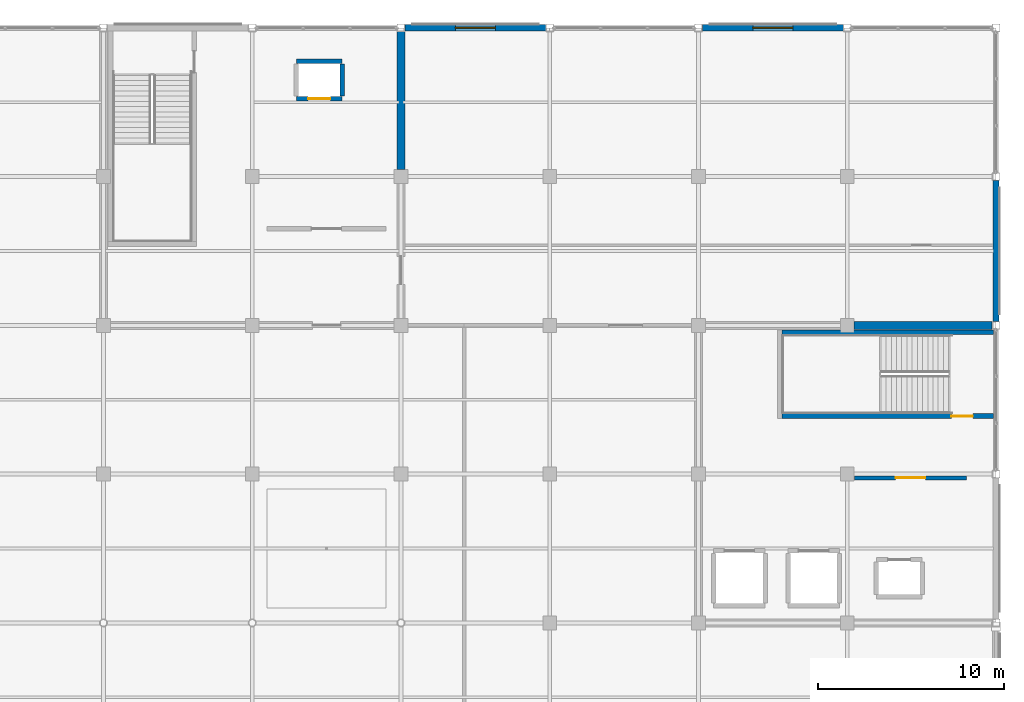
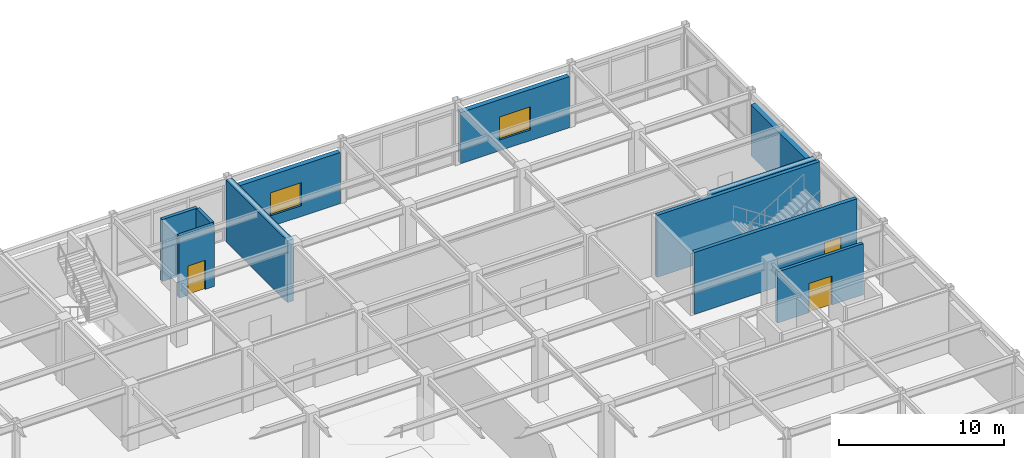
# One storey, part 97 of 117: 11 walls, 3 doors, 2 windows, 5 openings.
"""IFC4 building model written with IfcOpenShell, lengths in metres."""

from ifc_helpers import new_model, si_unit, direction, frame, frame_2d, origin, place, context, subcontext, project, spatial, rectangle, extrude, material, layer, layer_set, type_object, element, fill, save


model = new_model("IFC4")

# Units and contexts
model_context = context("Model", 3, precision=1e-05, world=origin(), true_north=direction((0.0, 1.0)))
body_context = subcontext(model_context, "Body", "Model", "MODEL_VIEW")
ifc_project = project(units=[si_unit("LENGTHUNIT", "METRE"), si_unit("AREAUNIT", "SQUARE_METRE"), si_unit("VOLUMEUNIT", "CUBIC_METRE"), si_unit("PLANEANGLEUNIT", "RADIAN"), si_unit("MASSUNIT", "GRAM", prefix="KILO")], contexts=[model_context])

# Site, building, storey
site_placement = place(None, origin())
site = spatial("IfcSite", under=ifc_project, at=site_placement, CompositionType="ELEMENT")
building_placement = place(site_placement, origin())
building = spatial("IfcBuilding", under=site, at=building_placement, Name="Solmirada Galleria", CompositionType="ELEMENT")
storey_placement = place(building_placement, frame((0.0, 0.0, 5.60009765625)))
storey = spatial("IfcBuildingStorey", under=building, at=storey_placement, Name="L01", CompositionType="ELEMENT", Elevation=5.60009765625)

# Walls
ifc_material_1 = material(Name="Concrete C40/50", Category="concrete")
ifc_layer_1 = layer(ifc_material_1, 0.419921875)
ifc_layer_set_1 = layer_set([ifc_layer_1], Name="Concrete C40/50")
wall_type_1 = type_object("IfcWallType", Name="WL-CORE-420", PredefinedType="SHEAR", material=ifc_layer_set_1)
for number, where, z_axis, x_axis, name in (
    (1, (144.0, 112.375, 0.0), (0.0, 0.0, 1.0), (0.0, 1.0, 0.0), "Core C3 shear wall L01 E2"),
    (2, (168.375, 104.0, 0.0), (0.0, 0.0, 1.0), (1.0, 0.0, 0.0), "Core C4 shear wall L01 N2"),
):
    element("IfcWall", number, at=place(storey_placement, frame(where, z_axis=z_axis, x_axis=x_axis)), inside=storey, type_object=wall_type_1, Name=name, PredefinedType="SHEAR", context=body_context, shape_type="SweptSolid", body=[
        extrude(rectangle(XDim=7.422119140625, YDim=0.419921875, at=frame_2d((3.7109375, 0.0))), origin(), (0.0, 0.0, 1.0), 4.579833984375),
    ])

# Wall, opening, window
ifc_material_2 = material(Name="Precast concrete C40/50", Category="concrete")
ifc_layer_2 = layer(ifc_material_2, 0.340087890625)
ifc_layer_set_2 = layer_set([ifc_layer_2], Name="Precast concrete C40/50")
wall_type_2 = type_object("IfcWallType", Name="WL-EXT-340", PredefinedType="STANDARD", material=ifc_layer_set_2)
wall_1_placement = place(storey_placement, frame((144.202880859375, 120.0, 0.0), z_axis=(0.0, 0.0, 1.0), x_axis=(1.0, 0.0, 0.0)))
wall_1 = element("IfcWall", 3, at=wall_1_placement, inside=storey, type_object=wall_type_2, Name="Exterior wall L01 bay 035", PredefinedType="STANDARD", context=body_context, shape_type="SweptSolid", body=[
    extrude(rectangle(XDim=7.59423828125, YDim=0.340087890625, at=frame_2d((3.797119140625, 0.0))), origin(), (0.0, 0.0, 1.0), 3.77978515625),
])
opening_1_placement = place(wall_1_placement, frame((2.721923828125, 0.0, 0.800048828125)))
opening_1 = element("IfcOpeningElement", 4, at=opening_1_placement, cuts=wall_1, Name="Opening WN11", PredefinedType="OPENING", context=body_context, shape_type="SweptSolid", body=[
    extrude(rectangle(XDim=2.14990234375, YDim=1.699951171875, at=frame_2d((1.074951171875, 0.85009765625))), frame((0.0, 0.179931640625, 0.0), z_axis=(0.0, -1.0, 0.0), x_axis=(1.0, 0.0, 0.0)), (0.0, 0.0, 1.0), 0.360107421875),
])
ifc_material_3 = material(Name="Impact-resistant low-E double glazing", Category="glass")
window_type = type_object("IfcWindowType", Name="WIN-OFF-215X170", PartitioningType="DOUBLE_PANEL_VERTICAL", PredefinedType="WINDOW", material=ifc_material_3)
window_1_placement = place(opening_1_placement, origin())
window_1 = element("IfcWindow", 5, at=window_1_placement, inside=storey, type_object=window_type, Name="Window L01-005", OverallHeight=1.699951171875, OverallWidth=2.14990234375, PartitioningType="DOUBLE_PANEL_VERTICAL", PredefinedType="WINDOW", context=body_context, shape_type="SweptSolid", body=[
    extrude(rectangle(XDim=2.14990234375, YDim=1.699951171875, at=frame_2d((1.074951171875, 0.85009765625))), frame((0.0, 0.030029296875, 0.0), z_axis=(0.0, -1.0, 0.0), x_axis=(1.0, 0.0, 0.0)), (0.0, 0.0, 1.0), 0.06005859375),
])
fill(opening_1, window_1)

wall_2_placement = place(storey_placement, frame((160.202880859375, 120.0, 0.0), z_axis=(0.0, 0.0, 1.0), x_axis=(1.0, 0.0, 0.0)))
wall_2 = element("IfcWall", 6, at=wall_2_placement, inside=storey, type_object=wall_type_2, Name="Exterior wall L01 bay 037", PredefinedType="STANDARD", context=body_context, shape_type="SweptSolid", body=[
    extrude(rectangle(XDim=7.59423828125, YDim=0.340087890625, at=frame_2d((3.797119140625, 0.0))), origin(), (0.0, 0.0, 1.0), 3.77978515625),
])
opening_2_placement = place(wall_2_placement, frame((2.721923828125, 0.0, 0.800048828125)))
opening_2 = element("IfcOpeningElement", 7, at=opening_2_placement, cuts=wall_2, Name="Opening WN11", PredefinedType="OPENING", context=body_context, shape_type="SweptSolid", body=[
    extrude(rectangle(XDim=2.14990234375, YDim=1.699951171875, at=frame_2d((1.074951171875, 0.85009765625))), frame((0.0, 0.179931640625, 0.0), z_axis=(0.0, -1.0, 0.0), x_axis=(1.0, 0.0, 0.0)), (0.0, 0.0, 1.0), 0.360107421875),
])
window_2_placement = place(opening_2_placement, origin())
window_2 = element("IfcWindow", 8, at=window_2_placement, inside=storey, type_object=window_type, Name="Window L01-006", OverallHeight=1.699951171875, OverallWidth=2.14990234375, PartitioningType="DOUBLE_PANEL_VERTICAL", PredefinedType="WINDOW", context=body_context, shape_type="SweptSolid", body=[
    extrude(rectangle(XDim=2.14990234375, YDim=1.699951171875, at=frame_2d((1.074951171875, 0.85009765625))), frame((0.0, 0.030029296875, 0.0), z_axis=(0.0, -1.0, 0.0), x_axis=(1.0, 0.0, 0.0)), (0.0, 0.0, 1.0), 0.06005859375),
])
fill(opening_2, window_2)

# Wall
wall_3_placement = place(storey_placement, frame((176.0, 111.797119140625, 0.0), z_axis=(0.0, 0.0, 1.0), x_axis=(0.0, -1.0, 0.0)))
element("IfcWall", 9, at=wall_3_placement, inside=storey, type_object=wall_type_2, Name="Exterior wall L01 bay 040", PredefinedType="STANDARD", context=body_context, shape_type="SweptSolid", body=[
    extrude(rectangle(XDim=7.59423828125, YDim=0.340087890625, at=frame_2d((3.797119140625, 0.0))), origin(), (0.0, 0.0, 1.0), 3.77978515625),
])

# Wall, opening, door
ifc_layer_3 = layer(ifc_material_1, 0.239990234375)
ifc_layer_set_3 = layer_set([ifc_layer_3], Name="Concrete C40/50")
wall_type_3 = type_object("IfcWallType", Name="WL-HOIST-240", PredefinedType="PARTITIONING", material=ifc_layer_set_3)
wall_4_placement = place(storey_placement, frame((138.3701171875, 116.195068359375, 0.0), z_axis=(0.0, 0.0, 1.0), x_axis=(1.0, 0.0, 0.0)))
wall_4 = element("IfcWall", 10, at=wall_4_placement, inside=storey, type_object=wall_type_3, Name="Lift FL1 hoistway front wall L01", PredefinedType="PARTITIONING", context=body_context, shape_type="SweptSolid", body=[
    extrude(rectangle(XDim=2.4599609375, YDim=0.239990234375, at=frame_2d((1.22998046875, 0.0))), origin(), (0.0, 0.0, 1.0), 4.579833984375),
])
opening_3_placement = place(wall_4_placement, frame((0.6298828125, 0.0, 0.0)))
opening_3 = element("IfcOpeningElement", 11, at=opening_3_placement, cuts=wall_4, Name="Opening LD-FL1-L01", PredefinedType="OPENING", context=body_context, shape_type="SweptSolid", body=[
    extrude(rectangle(XDim=1.199951171875, YDim=2.14990234375, at=frame_2d((0.60009765625, 1.074951171875))), frame((0.0, 0.1298828125, 0.0), z_axis=(0.0, -1.0, 0.0), x_axis=(1.0, 0.0, 0.0)), (0.0, 0.0, 1.0), 0.260009765625),
])
ifc_material_4 = material(Name="Brushed stainless-steel sliding landing door", Category="steel")
door_type_1 = type_object("IfcDoorType", Name="DR-LIFT-120X215", OperationType="SLIDING_TO_LEFT", PredefinedType="DOOR", material=ifc_material_4)
door_1_placement = place(opening_3_placement, origin())
door_1 = element("IfcDoor", 12, at=door_1_placement, inside=storey, type_object=door_type_1, Name="Lift FL1 sliding landing door L01", OperationType="SLIDING_TO_LEFT", OverallHeight=2.14990234375, OverallWidth=1.199951171875, PredefinedType="DOOR", context=body_context, shape_type="SweptSolid", body=[
    extrude(rectangle(XDim=1.199951171875, YDim=2.14990234375, at=frame_2d((0.60009765625, 1.074951171875))), frame((0.0, 0.02490234375, 0.0), z_axis=(0.0, -1.0, 0.0), x_axis=(1.0, 0.0, 0.0)), (0.0, 0.0, 1.0), 0.050048828125),
])
fill(opening_3, door_1)

# Walls
wall_5_placement = place(storey_placement, frame((138.3701171875, 118.205078125, 0.0), z_axis=(0.0, 0.0, 1.0), x_axis=(1.0, 0.0, 0.0)))
element("IfcWall", 13, at=wall_5_placement, inside=storey, type_object=wall_type_3, Name="Lift FL1 hoistway rear wall L01", PredefinedType="PARTITIONING", context=body_context, shape_type="SweptSolid", body=[
    extrude(rectangle(XDim=2.4599609375, YDim=0.239990234375, at=frame_2d((1.22998046875, 0.0))), origin(), (0.0, 0.0, 1.0), 4.579833984375),
])
wall_6_placement = place(storey_placement, frame((140.830078125, 116.3349609375, 0.0), z_axis=(0.0, 0.0, 1.0), x_axis=(0.0, 1.0, 0.0)))
element("IfcWall", 14, at=wall_6_placement, inside=storey, type_object=wall_type_3, Name="Lift FL1 hoistway side wall R L01", PredefinedType="PARTITIONING", context=body_context, shape_type="SweptSolid", body=[
    extrude(rectangle(XDim=1.72998046875, YDim=0.239990234375, at=frame_2d((0.864990234375, 0.0))), origin(), (0.0, 0.0, 1.0), 4.579833984375),
])

# Wall, opening, door
ifc_material_5 = material(Name="Fire-rated gypsum and steel-stud partition", Category="steel")
ifc_layer_4 = layer(ifc_material_5, 0.219970703125)
ifc_layer_set_4 = layer_set([ifc_layer_4], Name="Fire-rated gypsum and steel-stud partition")
wall_type_4 = type_object("IfcWallType", Name="WL-PART-220", PredefinedType="PARTITIONING", material=ifc_layer_set_4)
wall_7_placement = place(storey_placement, frame((168.39990234375, 95.800048828125, 0.0), z_axis=(0.0, 0.0, 1.0), x_axis=(1.0, 0.0, 0.0)))
wall_7 = element("IfcWall", 15, at=wall_7_placement, inside=storey, type_object=wall_type_4, Name="Firefighting lift lobby C4 smoke barrier L01", PredefinedType="PARTITIONING", context=body_context, shape_type="SweptSolid", body=[
    extrude(rectangle(XDim=6.0, YDim=0.219970703125, at=frame_2d((3.0, 0.0))), origin(), (0.0, 0.0, 1.0), 3.77978515625),
])
opening_4_placement = place(wall_7_placement, frame((2.199951171875, 0.0, 0.0)))
opening_4 = element("IfcOpeningElement", 16, at=opening_4_placement, cuts=wall_7, Name="Opening FD-210", PredefinedType="OPENING", context=body_context, shape_type="SweptSolid", body=[
    extrude(rectangle(XDim=1.60009765625, YDim=2.14990234375, at=frame_2d((0.800048828125, 1.074951171875))), frame((0.0, 0.119873046875, 0.0), z_axis=(0.0, -1.0, 0.0), x_axis=(1.0, 0.0, 0.0)), (0.0, 0.0, 1.0), 0.239990234375),
])
ifc_material_6 = material(Name="Fire-rated painted steel door assembly", Category="steel")
door_type_2 = type_object("IfcDoorType", Name="DR-FFLOB-160X215", OperationType="DOUBLE_DOOR_SINGLE_SWING", PredefinedType="DOOR", material=ifc_material_6)
door_2_placement = place(opening_4_placement, origin())
door_2 = element("IfcDoor", 17, at=door_2_placement, inside=storey, type_object=door_type_2, Name="Firefighting lift lobby internal door FD-210", OperationType="DOUBLE_DOOR_SINGLE_SWING", OverallHeight=2.14990234375, OverallWidth=1.60009765625, PredefinedType="DOOR", context=body_context, shape_type="SweptSolid", body=[
    extrude(rectangle(XDim=1.60009765625, YDim=2.14990234375, at=frame_2d((0.800048828125, 1.074951171875))), frame((0.0, 0.02490234375, 0.0), z_axis=(0.0, -1.0, 0.0), x_axis=(1.0, 0.0, 0.0)), (0.0, 0.0, 1.0), 0.050048828125),
])
fill(opening_4, door_2)

ifc_layer_5 = layer(ifc_material_1, 0.260009765625)
ifc_layer_set_5 = layer_set([ifc_layer_5], Name="Concrete C40/50")
wall_type_5 = type_object("IfcWallType", Name="WL-SHAFT-260", PredefinedType="SHEAR", material=ifc_layer_set_5)
wall_8_placement = place(storey_placement, frame((164.5, 99.1201171875, 0.0), z_axis=(0.0, 0.0, 1.0), x_axis=(1.0, 0.0, 0.0)))
wall_8 = element("IfcWall", 18, at=wall_8_placement, inside=storey, type_object=wall_type_5, Name="Stair ST4 enclosure wall L01 S", PredefinedType="SHEAR", context=body_context, shape_type="SweptSolid", body=[
    extrude(rectangle(XDim=11.35498046875, YDim=0.260009765625, at=frame_2d((5.677490234375, 0.0))), origin(), (0.0, 0.0, 1.0), 4.579833984375),
])
opening_5_placement = place(wall_8_placement, frame((9.10009765625, 0.0, 0.0)))
opening_5 = element("IfcOpeningElement", 19, at=opening_5_placement, cuts=wall_8, Name="Opening SD-209", PredefinedType="OPENING", context=body_context, shape_type="SweptSolid", body=[
    extrude(rectangle(XDim=1.14990234375, YDim=2.14990234375, at=frame_2d((0.574951171875, 1.074951171875))), frame((0.0, 0.139892578125, 0.0), z_axis=(0.0, -1.0, 0.0), x_axis=(1.0, 0.0, 0.0)), (0.0, 0.0, 1.0), 0.280029296875),
])
door_type_3 = type_object("IfcDoorType", Name="DR-STAIR-115X215", OperationType="NOTDEFINED", PredefinedType="DOOR", material=ifc_material_6)
door_3_placement = place(opening_5_placement, origin())
door_3 = element("IfcDoor", 20, at=door_3_placement, inside=storey, type_object=door_type_3, Name="Exit stair ST4 enclosure fire door SD-209", OperationType="SINGLE_SWING_RIGHT", OverallHeight=2.14990234375, OverallWidth=1.14990234375, PredefinedType="DOOR", context=body_context, shape_type="SweptSolid", body=[
    extrude(rectangle(XDim=1.14990234375, YDim=2.14990234375, at=frame_2d((0.574951171875, 1.074951171875))), frame((0.0, 0.02490234375, 0.0), z_axis=(0.0, -1.0, 0.0), x_axis=(1.0, 0.0, 0.0)), (0.0, 0.0, 1.0), 0.050048828125),
])
fill(opening_5, door_3)

# Wall
wall_9_placement = place(storey_placement, frame((164.5, 103.6298828125, 0.0), z_axis=(0.0, 0.0, 1.0), x_axis=(1.0, 0.0, 0.0)))
element("IfcWall", 21, at=wall_9_placement, inside=storey, type_object=wall_type_5, Name="Stair ST4 enclosure wall L01 N", PredefinedType="SHEAR", context=body_context, shape_type="SweptSolid", body=[
    extrude(rectangle(XDim=11.35498046875, YDim=0.260009765625, at=frame_2d((5.677490234375, 0.0))), origin(), (0.0, 0.0, 1.0), 4.579833984375),
])

save(model, "model.ifc")
